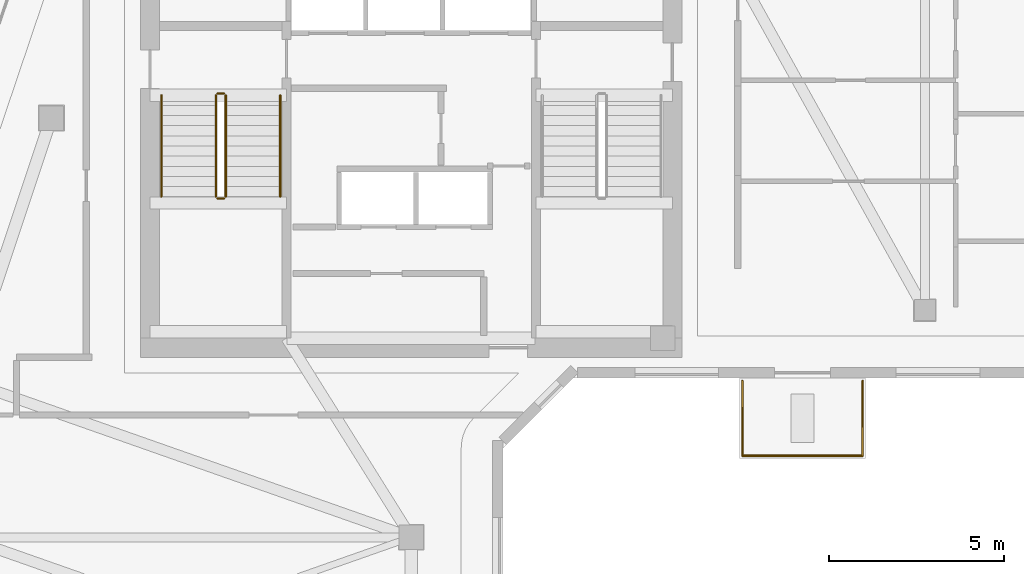
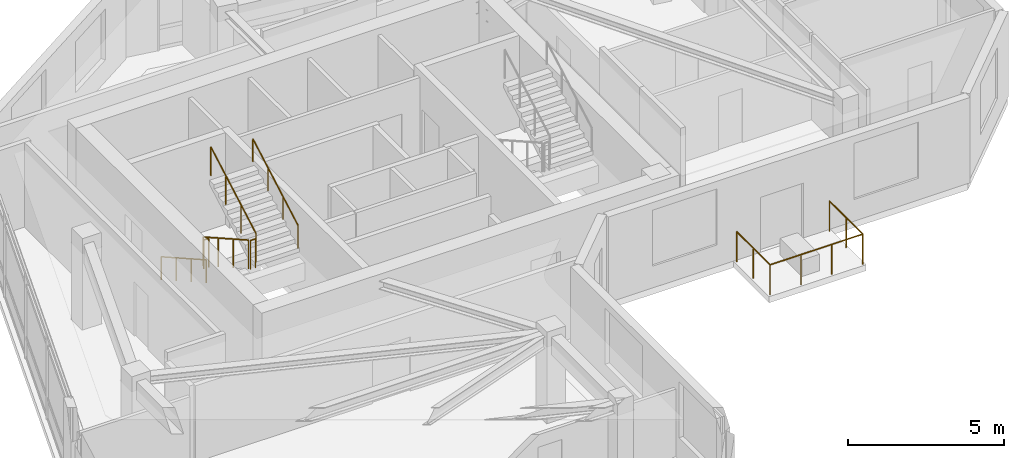
# One storey, part 7 of 9: 9 railings.
"""IFC4 building model written with IfcOpenShell, lengths in metres."""

from ifc_helpers import new_model, si_unit, direction, frame, origin, origin_2d, place, context, subcontext, project, spatial, circle, extrude, material, type_object, element, save


model = new_model("IFC4")

# Units and contexts
model_context = context("Model", 3, precision=1e-05, world=origin(), true_north=direction((0.0, 1.0)))
body_context = subcontext(model_context, "Body", "Model", "MODEL_VIEW")
ifc_project = project(units=[si_unit("LENGTHUNIT", "METRE"), si_unit("AREAUNIT", "SQUARE_METRE"), si_unit("VOLUMEUNIT", "CUBIC_METRE"), si_unit("PLANEANGLEUNIT", "RADIAN"), si_unit("MASSUNIT", "GRAM", prefix="KILO")], contexts=[model_context])

# Site, building, storey
site_placement = place(None, origin())
site = spatial("IfcSite", under=ifc_project, at=site_placement, CompositionType="ELEMENT")
building_placement = place(site_placement, origin())
building = spatial("IfcBuilding", under=site, at=building_placement, Name="Calvemar Wedge Station Tower", CompositionType="ELEMENT")
storey_placement = place(building_placement, frame((0.0, 0.0, 274.5)))
storey = spatial("IfcBuildingStorey", under=building, at=storey_placement, Name="L70", CompositionType="ELEMENT", Elevation=274.5)

# Railings
ifc_material_1 = material(Name="Stainless steel AISI 316L", Category="steel")
railing_type_1 = type_object("IfcRailingType", Name="GRD-TERR-1200", PredefinedType="GUARDRAIL", material=ifc_material_1)
railing_1_placement = place(storey_placement, frame((36.719970703125, 32.97607421875, 0.0)))
element("IfcRailing", 1, at=railing_1_placement, inside=storey, type_object=railing_type_1, Name="Storey L70 Spiral Terrace Guard 2", PredefinedType="GUARDRAIL", context=body_context, shape_type="SweptSolid", body=[
    extrude(circle(Radius=0.02392578125, at=origin_2d()), frame((0.0, 0.0, 1.17578125), z_axis=(0.0, -1.0, 0.0), x_axis=(1.0, 0.0, 0.0)), (0.0, 0.0, 1.0), 2.14013671875),
    extrude(circle(Radius=0.02099609375, at=origin_2d()), origin(), (0.0, 0.0, 1.0), 1.15185546875),
    extrude(circle(Radius=0.02099609375, at=origin_2d()), frame((0.0, -1.070068359375, 0.0)), (0.0, 0.0, 1.0), 1.15185546875),
    extrude(circle(Radius=0.02099609375, at=origin_2d()), frame((0.0, -2.14013671875, 0.0)), (0.0, 0.0, 1.0), 1.15185546875),
])
railing_2_placement = place(storey_placement, frame((36.719970703125, 30.8359375, 0.0)))
element("IfcRailing", 2, at=railing_2_placement, inside=storey, type_object=railing_type_1, Name="Storey L70 Spiral Terrace Guard 3", PredefinedType="GUARDRAIL", context=body_context, shape_type="SweptSolid", body=[
    extrude(circle(Radius=0.02392578125, at=origin_2d()), frame((0.0, 0.0, 1.17578125), z_axis=(-1.0, 0.0, 0.0), x_axis=(0.0, -1.0, 0.0)), (0.0, 0.0, 1.0), 3.43994140625),
    extrude(circle(Radius=0.02099609375, at=origin_2d()), origin(), (0.0, 0.0, 1.0), 1.15185546875),
    extrude(circle(Radius=0.02099609375, at=origin_2d()), frame((-1.146728515625, 0.0, 0.0)), (0.0, 0.0, 1.0), 1.15185546875),
    extrude(circle(Radius=0.02099609375, at=origin_2d()), frame((-2.293212890625, 0.0, 0.0)), (0.0, 0.0, 1.0), 1.15185546875),
    extrude(circle(Radius=0.02099609375, at=origin_2d()), frame((-3.43994140625, 0.0, 0.0)), (0.0, 0.0, 1.0), 1.15185546875),
])
railing_3_placement = place(storey_placement, frame((33.280029296875, 30.8359375, 0.0)))
element("IfcRailing", 3, at=railing_3_placement, inside=storey, type_object=railing_type_1, Name="Storey L70 Spiral Terrace Guard 4", PredefinedType="GUARDRAIL", context=body_context, shape_type="SweptSolid", body=[
    extrude(circle(Radius=0.02392578125, at=origin_2d()), frame((0.0, 0.0, 1.17578125), z_axis=(0.0, 1.0, 0.0), x_axis=(-1.0, 0.0, 0.0)), (0.0, 0.0, 1.0), 2.14013671875),
    extrude(circle(Radius=0.02099609375, at=origin_2d()), origin(), (0.0, 0.0, 1.0), 1.15185546875),
    extrude(circle(Radius=0.02099609375, at=origin_2d()), frame((0.0, 1.070068359375, 0.0)), (0.0, 0.0, 1.0), 1.15185546875),
    extrude(circle(Radius=0.02099609375, at=origin_2d()), frame((0.0, 2.14013671875, 0.0)), (0.0, 0.0, 1.0), 1.15185546875),
])
railing_type_2 = type_object("IfcRailingType", Name="RL-HANDRAIL-920", PredefinedType="HANDRAIL", material=ifc_material_1)
railing_4_placement = place(storey_placement, frame((16.64990234375, 41.14990234375, 0.16357421875)))
element("IfcRailing", 4, at=railing_4_placement, inside=storey, type_object=railing_type_2, Name="L70 ST-C1 stair handrail 1", PredefinedType="HANDRAIL", context=body_context, shape_type="SweptSolid", body=[
    extrude(circle(Radius=0.02392578125, at=origin_2d()), frame((0.0, 0.0, 0.89599609375), z_axis=(0.0, -0.870897200241, 0.491465224214), x_axis=(1.0, 0.0, 0.0)), (0.0, 0.0, 1.0), 3.329833984375),
    extrude(circle(Radius=0.02099609375, at=origin_2d()), origin(), (0.0, 0.0, 1.0), 0.871826171875),
    extrude(circle(Radius=0.02099609375, at=origin_2d()), frame((0.0, -0.966552734375, 0.54541015625)), (0.0, 0.0, 1.0), 0.871826171875),
    extrude(circle(Radius=0.02099609375, at=origin_2d()), frame((0.0, -1.933349609375, 1.091064453125)), (0.0, 0.0, 1.0), 0.871826171875),
    extrude(circle(Radius=0.02099609375, at=origin_2d()), frame((0.0, -2.89990234375, 1.636474609375)), (0.0, 0.0, 1.0), 0.871826171875),
])
railing_5_placement = place(storey_placement, frame((20.050048828125, 38.25, 1.963623046875)))
element("IfcRailing", 5, at=railing_5_placement, inside=storey, type_object=railing_type_2, Name="L70 ST-C1 stair handrail 2", PredefinedType="HANDRAIL", context=body_context, shape_type="SweptSolid", body=[
    extrude(circle(Radius=0.02392578125, at=origin_2d()), frame((0.0, 0.0, 0.89599609375), z_axis=(0.0, 0.870897200241, 0.491465224214), x_axis=(-1.0, 0.0, 0.0)), (0.0, 0.0, 1.0), 3.329833984375),
    extrude(circle(Radius=0.02099609375, at=origin_2d()), origin(), (0.0, 0.0, 1.0), 0.871826171875),
    extrude(circle(Radius=0.02099609375, at=origin_2d()), frame((0.0, 0.966552734375, 0.54541015625)), (0.0, 0.0, 1.0), 0.871826171875),
    extrude(circle(Radius=0.02099609375, at=origin_2d()), frame((0.0, 1.933349609375, 1.091064453125)), (0.0, 0.0, 1.0), 0.871826171875),
    extrude(circle(Radius=0.02099609375, at=origin_2d()), frame((0.0, 2.89990234375, 1.636474609375)), (0.0, 0.0, 1.0), 0.871826171875),
])
ifc_material_2 = material(Name="Painted steel guardrail ASTM A500 Grade C", Category="steel")
railing_type_3 = type_object("IfcRailingType", Name="RL-STAIR-GUARD-1150", PredefinedType="GUARDRAIL", material=ifc_material_2)
railing_6_placement = place(storey_placement, frame((18.2099609375, 41.14990234375, 0.16357421875)))
element("IfcRailing", 6, at=railing_6_placement, inside=storey, type_object=railing_type_3, Name="L70 ST-C1 stair guard 1", PredefinedType="GUARDRAIL", context=body_context, shape_type="SweptSolid", body=[
    extrude(circle(Radius=0.02392578125, at=origin_2d()), frame((0.0, 0.0, 1.1259765625), z_axis=(0.0, -0.870897200241, 0.491465224214), x_axis=(1.0, 0.0, 0.0)), (0.0, 0.0, 1.0), 3.329833984375),
    extrude(circle(Radius=0.02099609375, at=origin_2d()), origin(), (0.0, 0.0, 1.0), 1.101806640625),
    extrude(circle(Radius=0.02099609375, at=origin_2d()), frame((0.0, -0.966552734375, 0.54541015625)), (0.0, 0.0, 1.0), 1.101806640625),
    extrude(circle(Radius=0.02099609375, at=origin_2d()), frame((0.0, -1.933349609375, 1.091064453125)), (0.0, 0.0, 1.0), 1.101806640625),
    extrude(circle(Radius=0.02099609375, at=origin_2d()), frame((0.0, -2.89990234375, 1.636474609375)), (0.0, 0.0, 1.0), 1.101806640625),
])
railing_7_placement = place(storey_placement, frame((18.260009765625, 38.199951171875, 1.800048828125)))
element("IfcRailing", 7, at=railing_7_placement, inside=storey, type_object=railing_type_3, Name="L70 ST-C1 stair guard 2", PredefinedType="GUARDRAIL", context=body_context, shape_type="SweptSolid", body=[
    extrude(circle(Radius=0.02392578125, at=origin_2d()), frame((0.0, 0.0, 1.1259765625), z_axis=(1.0, 0.0, 0.0), x_axis=(0.0, 1.0, 0.0)), (0.0, 0.0, 1.0), 0.179931640625),
    extrude(circle(Radius=0.02099609375, at=origin_2d()), origin(), (0.0, 0.0, 1.0), 1.101806640625),
    extrude(circle(Radius=0.02099609375, at=origin_2d()), frame((0.179931640625, 0.0, 0.0)), (0.0, 0.0, 1.0), 1.101806640625),
])
railing_8_placement = place(storey_placement, frame((18.489990234375, 38.25, 1.963623046875)))
element("IfcRailing", 8, at=railing_8_placement, inside=storey, type_object=railing_type_3, Name="L70 ST-C1 stair guard 3", PredefinedType="GUARDRAIL", context=body_context, shape_type="SweptSolid", body=[
    extrude(circle(Radius=0.02392578125, at=origin_2d()), frame((0.0, 0.0, 1.1259765625), z_axis=(0.0, 0.870897200241, 0.491465224214), x_axis=(-1.0, 0.0, 0.0)), (0.0, 0.0, 1.0), 3.329833984375),
    extrude(circle(Radius=0.02099609375, at=origin_2d()), origin(), (0.0, 0.0, 1.0), 1.101806640625),
    extrude(circle(Radius=0.02099609375, at=origin_2d()), frame((0.0, 0.966552734375, 0.54541015625)), (0.0, 0.0, 1.0), 1.101806640625),
    extrude(circle(Radius=0.02099609375, at=origin_2d()), frame((0.0, 1.933349609375, 1.091064453125)), (0.0, 0.0, 1.0), 1.101806640625),
    extrude(circle(Radius=0.02099609375, at=origin_2d()), frame((0.0, 2.89990234375, 1.636474609375)), (0.0, 0.0, 1.0), 1.101806640625),
])
railing_9_placement = place(storey_placement, frame((18.260009765625, 41.199951171875, 0.0)))
element("IfcRailing", 9, at=railing_9_placement, inside=storey, type_object=railing_type_3, Name="L70 ST-C1 stair guard 4", PredefinedType="GUARDRAIL", context=body_context, shape_type="SweptSolid", body=[
    extrude(circle(Radius=0.02392578125, at=origin_2d()), frame((0.0, 0.0, 1.1259765625), z_axis=(1.0, 0.0, 0.0), x_axis=(0.0, 1.0, 0.0)), (0.0, 0.0, 1.0), 0.179931640625),
    extrude(circle(Radius=0.02099609375, at=origin_2d()), origin(), (0.0, 0.0, 1.0), 1.101806640625),
    extrude(circle(Radius=0.02099609375, at=origin_2d()), frame((0.179931640625, 0.0, 0.0)), (0.0, 0.0, 1.0), 1.101806640625),
])

save(model, "model.ifc")
